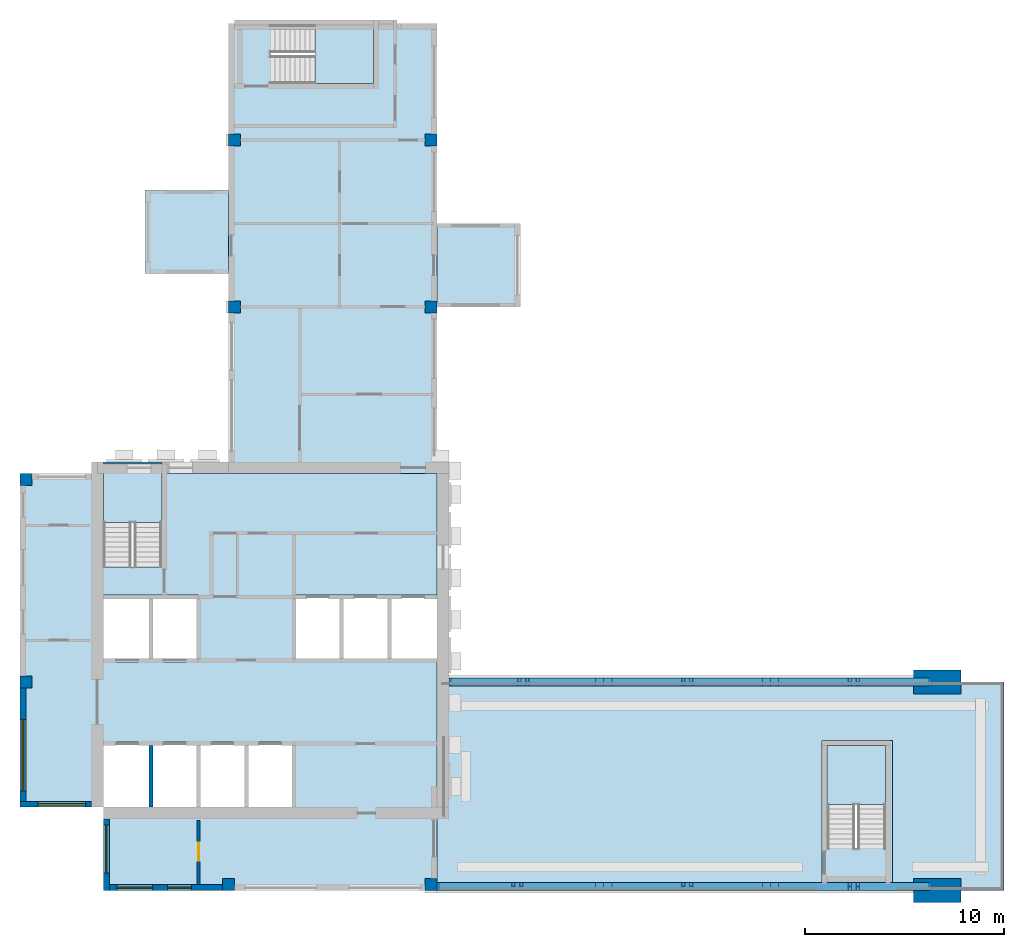
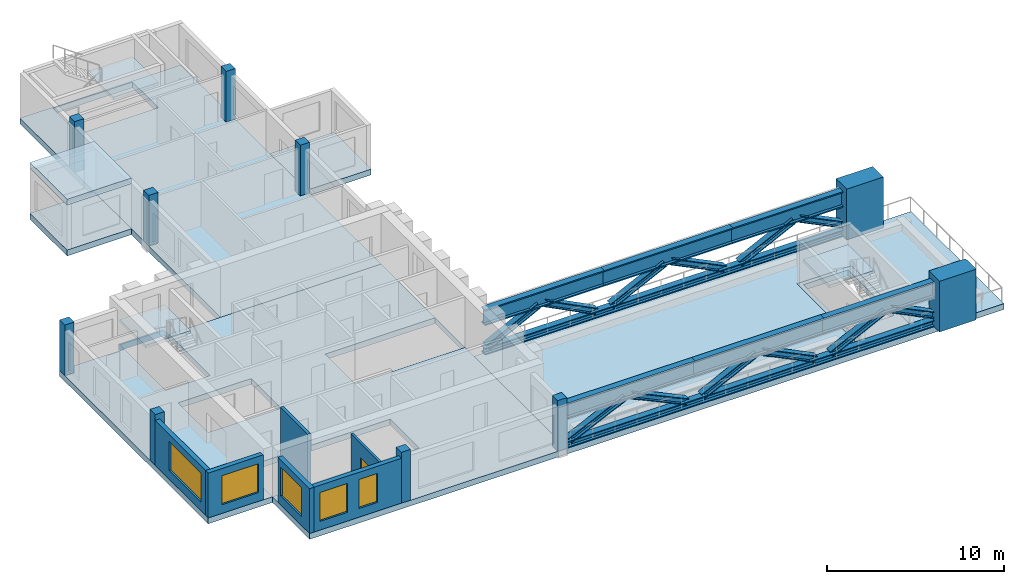
# One storey, part 1 of 9: 12 members, 11 slabs, 10 columns, 8 beams, 6 walls, 5 windows, 1 door, 6 openings, 3 elements without a shape of their own.
"""IFC4 building model written with IfcOpenShell, lengths in metres."""

from ifc_helpers import new_model, si_unit, direction, frame, frame_2d, origin, origin_2d, place, context, subcontext, project, spatial, polyline, rectangle, i_section, outline, extrude, source, transform, mapped, material, layer, layer_set, material_profile, profile_set, type_object, element, fill, aggregate, save


model = new_model("IFC4")

# Units and contexts
model_context = context("Model", 3, precision=1e-05, world=origin(), true_north=direction((0.0, 1.0)))
body_context = subcontext(model_context, "Body", "Model", "MODEL_VIEW")
ifc_project = project(units=[si_unit("LENGTHUNIT", "METRE"), si_unit("AREAUNIT", "SQUARE_METRE"), si_unit("VOLUMEUNIT", "CUBIC_METRE"), si_unit("PLANEANGLEUNIT", "RADIAN"), si_unit("MASSUNIT", "GRAM", prefix="KILO")], contexts=[model_context])

# Site, building, storey
site_placement = place(None, origin())
site = spatial("IfcSite", under=ifc_project, at=site_placement, CompositionType="ELEMENT")
building_placement = place(site_placement, origin())
building = spatial("IfcBuilding", under=site, at=building_placement, Name="Aurelian Terraces", CompositionType="ELEMENT")
storey_placement = place(building_placement, frame((0.0, 0.0, 351.0)))
storey = spatial("IfcBuildingStorey", under=building, at=storey_placement, Name="L83", CompositionType="ELEMENT", Elevation=351.0)

# Columns
ifc_material_1 = material(Name="Concrete fc' 55 MPa", Category="concrete")
ifc_material_profile_1 = material_profile(ifc_material_1, rectangle(XDim=0.6, YDim=0.6, at=origin_2d()))
ifc_profile_set_1 = profile_set([ifc_material_profile_1], Name="Concrete fc' 55 MPa")
column_type_1 = type_object("IfcColumnType", Name="RC COLUMN 600X600 FC55", PredefinedType="COLUMN", material=ifc_profile_set_1)
shared_shape_1 = source(origin(), body_context, "Body", "SweptSolid", [
    extrude(rectangle(XDim=0.6, YDim=0.6, at=origin_2d()), origin(), (0.0, 0.0, 1.0), 3.5),
])
for number, where, z_axis, x_axis, name in (
    (1, (10.5, 0.3, 0.0), (0.0, 0.0, 1.0), (1.0, 0.0, 0.0), "Column 2/A L83"),
    (2, (20.7, 0.3, 0.0), (0.0, 0.0, 1.0), (1.0, 0.0, 0.0), "Column 3/A L83"),
    (3, (0.3, 10.5, 0.0), (0.0, 0.0, 1.0), (1.0, 0.0, 0.0), "Column 1/B L83"),
    (4, (0.3, 20.7, 0.0), (0.0, 0.0, 1.0), (1.0, 0.0, 0.0), "Column 1/C L83"),
    (5, (10.8, 29.4, 0.0), (0.0, 0.0, 1.0), (1.0, 0.0, 0.0), "Column 2/D L83"),
    (6, (20.7, 29.4, 0.0), (0.0, 0.0, 1.0), (1.0, 0.0, 0.0), "Column 3/D L83"),
    (7, (10.8, 37.8, 0.0), (0.0, 0.0, 1.0), (1.0, 0.0, 0.0), "Column 2/E L83"),
    (8, (20.7, 37.8, 0.0), (0.0, 0.0, 1.0), (1.0, 0.0, 0.0), "Column 3/E L83"),
):
    element("IfcColumn", number, at=place(storey_placement, frame(where, z_axis=z_axis, x_axis=x_axis)), inside=storey, type_object=column_type_1, Name=name, PredefinedType="COLUMN", context=body_context, shape_type="MappedRepresentation", body=[
        mapped(shared_shape_1, transform((0.0, 0.0, 0.0), scale=1.0)),
    ])
ifc_material_profile_2 = material_profile(ifc_material_1, rectangle(XDim=2.4, YDim=1.2, at=origin_2d()))
ifc_profile_set_2 = profile_set([ifc_material_profile_2], Name="Concrete fc' 55 MPa")
column_type_2 = type_object("IfcColumnType", Name="Portal jamb pilaster 2400x1200", PredefinedType="PILASTER", material=ifc_profile_set_2)
shared_shape_2 = source(origin(), body_context, "Body", "SweptSolid", [
    extrude(rectangle(XDim=2.4, YDim=1.2, at=origin_2d()), origin(), (0.0, 0.0, 1.0), 3.5),
])
for number, where, z_axis, x_axis, name in (
    (9, (46.2, 0.0, 0.0), (0.0, 0.0, 1.0), (1.0, 0.0, 0.0), "Column 6/A L83"),
    (10, (46.2, 10.5, 0.0), (0.0, 0.0, 1.0), (1.0, 0.0, 0.0), "Column 6/B L83"),
):
    element("IfcColumn", number, at=place(storey_placement, frame(where, z_axis=z_axis, x_axis=x_axis)), inside=storey, type_object=column_type_2, Name=name, PredefinedType="PILASTER", context=body_context, shape_type="MappedRepresentation", body=[
        mapped(shared_shape_2, transform((0.0, 0.0, 0.0), scale=1.0)),
    ])

# Beams
ifc_material_2 = material(Name="Steel ASTM A992 Gr50", Category="steel")
ifc_material_profile_3 = material_profile(ifc_material_2, i_section(OverallWidth=0.4089, OverallDepth=1.0922, WebThickness=0.0455, FlangeThickness=0.082, at=origin_2d()))
ifc_profile_set_3 = profile_set([ifc_material_profile_3], Name="Steel ASTM A992 Gr50")
beam_type_1 = type_object("IfcBeamType", Name="PC901 PORTAL CHORD W40X593", PredefinedType="BEAM", material=ifc_profile_set_3)
beam_1_placement = place(storey_placement, frame((21.0, 0.21, 2.5539), z_axis=(1.0, 0.0, 0.0), x_axis=(0.0, 1.0, 0.0)))
element("IfcBeam", 11, at=beam_1_placement, inside=storey, type_object=beam_type_1, Name="Portal top chord 901.1", PredefinedType="BEAM", context=body_context, shape_type="SweptSolid", body=[
    extrude(i_section(OverallWidth=0.4089, OverallDepth=1.0922, WebThickness=0.0455, FlangeThickness=0.082, at=origin_2d()), origin(), (0.0, 0.0, 1.0), 8.4),
])
beam_2_placement = place(storey_placement, frame((37.8, 0.21, 2.5539), z_axis=(1.0, 0.0, 0.0), x_axis=(0.0, 1.0, 0.0)))
element("IfcBeam", 12, at=beam_2_placement, inside=storey, type_object=beam_type_1, Name="Portal top chord 901.3", PredefinedType="BEAM", context=body_context, shape_type="SweptSolid", body=[
    extrude(i_section(OverallWidth=0.4089, OverallDepth=1.0922, WebThickness=0.0455, FlangeThickness=0.082, at=origin_2d()), origin(), (0.0, 0.0, 1.0), 8.1),
])
beam_3_placement = place(storey_placement, frame((21.6, 10.5, 2.5539), z_axis=(1.0, 0.0, 0.0), x_axis=(0.0, 1.0, 0.0)))
element("IfcBeam", 13, at=beam_3_placement, inside=storey, type_object=beam_type_1, Name="Portal top chord 902.1", PredefinedType="BEAM", context=body_context, shape_type="SweptSolid", body=[
    extrude(i_section(OverallWidth=0.4089, OverallDepth=1.0922, WebThickness=0.0455, FlangeThickness=0.082, at=origin_2d()), origin(), (0.0, 0.0, 1.0), 7.8),
])
ifc_material_profile_4 = material_profile(ifc_material_2, i_section(OverallWidth=0.4122, OverallDepth=0.4348, WebThickness=0.0358, FlangeThickness=0.0531, at=origin_2d()))
ifc_profile_set_4 = profile_set([ifc_material_profile_4], Name="Steel ASTM A992 Gr50")
beam_type_2 = type_object("IfcBeamType", Name="PC902 PORTAL CHORD W14X311", PredefinedType="BEAM", material=ifc_profile_set_4)
beam_4_placement = place(storey_placement, frame((21.0, 0.21, 0.2174), z_axis=(1.0, 0.0, 0.0), x_axis=(0.0, 1.0, 0.0)))
element("IfcBeam", 14, at=beam_4_placement, inside=storey, type_object=beam_type_2, Name="Portal bottom chord 901", PredefinedType="BEAM", context=body_context, shape_type="SweptSolid", body=[
    extrude(i_section(OverallWidth=0.4122, OverallDepth=0.4348, WebThickness=0.0358, FlangeThickness=0.0531, at=origin_2d()), origin(), (0.0, 0.0, 1.0), 24.9),
])
beam_5_placement = place(storey_placement, frame((21.6, 10.5, 0.2174), z_axis=(1.0, 0.0, 0.0), x_axis=(0.0, 1.0, 0.0)))
element("IfcBeam", 15, at=beam_5_placement, inside=storey, type_object=beam_type_2, Name="Portal bottom chord 902", PredefinedType="BEAM", context=body_context, shape_type="SweptSolid", body=[
    extrude(i_section(OverallWidth=0.4122, OverallDepth=0.4348, WebThickness=0.0358, FlangeThickness=0.0531, at=origin_2d()), origin(), (0.0, 0.0, 1.0), 24.3),
])

# Members
ifc_material_profile_5 = material_profile(ifc_material_2, i_section(OverallWidth=0.4063, OverallDepth=0.4161, WebThickness=0.03, FlangeThickness=0.048, at=origin_2d()))
ifc_profile_set_5 = profile_set([ifc_material_profile_5], Name="Steel ASTM A992 Gr50")
member_type = type_object("IfcMemberType", Name="PORTAL DIAGONAL W14X257", PredefinedType="BRACE", material=ifc_profile_set_5)
member_1_placement = place(storey_placement, frame((21.2, 0.21, 0.4348), z_axis=(0.905185933293, 0.0, 0.425015795199), x_axis=(0.0, 1.0, 0.0)))
element("IfcMember", 16, at=member_1_placement, inside=storey, type_object=member_type, Name="Portal diagonal 1a", PredefinedType="BRACE", context=body_context, shape_type="SweptSolid", body=[
    extrude(i_section(OverallWidth=0.4063, OverallDepth=0.4161, WebThickness=0.03, FlangeThickness=0.048, at=origin_2d()), origin(), (0.0, 0.0, 1.0), 4.0323),
])
member_2_placement = place(storey_placement, frame((29.9, 0.21, 0.4348), z_axis=(0.898111937117, 0.0, 0.439766925095), x_axis=(0.0, 1.0, 0.0)))
element("IfcMember", 17, at=member_2_placement, inside=storey, type_object=member_type, Name="Portal diagonal 2a", PredefinedType="BRACE", context=body_context, shape_type="SweptSolid", body=[
    extrude(i_section(OverallWidth=0.4063, OverallDepth=0.4161, WebThickness=0.03, FlangeThickness=0.048, at=origin_2d()), origin(), (0.0, 0.0, 1.0), 3.8971),
])
member_3_placement = place(storey_placement, frame((21.8, 10.5, 0.4348), z_axis=(0.890264702037, 0.0, 0.455443476523), x_axis=(0.0, 1.0, 0.0)))
element("IfcMember", 18, at=member_3_placement, inside=storey, type_object=member_type, Name="Portal diagonal 4a", PredefinedType="BRACE", context=body_context, shape_type="SweptSolid", body=[
    extrude(i_section(OverallWidth=0.4063, OverallDepth=0.4161, WebThickness=0.03, FlangeThickness=0.048, at=origin_2d()), origin(), (0.0, 0.0, 1.0), 3.7629),
])

# Beams
shared_shape_3 = source(origin(), body_context, "Body", "SweptSolid", [
    extrude(i_section(OverallWidth=0.4089, OverallDepth=1.0922, WebThickness=0.0455, FlangeThickness=0.082, at=origin_2d()), origin(), (0.0, 0.0, 1.0), 8.4),
])
for number, where, z_axis, x_axis, name in (
    (19, (29.4, 0.21, 2.5539), (1.0, 0.0, 0.0), (0.0, 1.0, 0.0), "Portal top chord 901.2"),
    (20, (29.4, 10.5, 2.5539), (1.0, 0.0, 0.0), (0.0, 1.0, 0.0), "Portal top chord 902.2"),
):
    element("IfcBeam", number, at=place(storey_placement, frame(where, z_axis=z_axis, x_axis=x_axis)), inside=storey, type_object=beam_type_1, Name=name, PredefinedType="BEAM", context=body_context, shape_type="MappedRepresentation", body=[
        mapped(shared_shape_3, transform((0.0, 0.0, 0.0), scale=1.0)),
    ])

# Members
shared_shape_4 = source(origin(), body_context, "Body", "SweptSolid", [
    extrude(i_section(OverallWidth=0.4063, OverallDepth=0.4161, WebThickness=0.03, FlangeThickness=0.048, at=origin_2d()), origin(), (0.0, 0.0, 1.0), 4.0323),
])
member_4_placement = place(storey_placement, frame((25.25, 0.21, 2.1486), z_axis=(0.905185933293, 0.0, -0.425015795199), x_axis=(0.0, 1.0, 0.0)))
element("IfcMember", 21, at=member_4_placement, inside=storey, type_object=member_type, Name="Portal diagonal 1b", PredefinedType="BRACE", context=body_context, shape_type="MappedRepresentation", body=[
    mapped(shared_shape_4, transform((0.0, 0.0, 0.0), scale=1.0)),
])
shared_shape_5 = source(origin(), body_context, "Body", "SweptSolid", [
    extrude(i_section(OverallWidth=0.4063, OverallDepth=0.4161, WebThickness=0.03, FlangeThickness=0.048, at=origin_2d()), origin(), (0.0, 0.0, 1.0), 3.8971),
])
for number, where, z_axis, x_axis, name in (
    (22, (33.8, 0.21, 2.1486), (0.898111937117, 0.0, -0.439766925095), (0.0, 1.0, 0.0), "Portal diagonal 2b"),
    (23, (38.3, 0.21, 0.4348), (0.898111937117, 0.0, 0.439766925095), (0.0, 1.0, 0.0), "Portal diagonal 3a"),
    (24, (42.2, 0.21, 2.1486), (0.898111937117, 0.0, -0.439766925095), (0.0, 1.0, 0.0), "Portal diagonal 3b"),
    (25, (29.9, 10.5, 0.4348), (0.898111937117, 0.0, 0.439766925095), (0.0, 1.0, 0.0), "Portal diagonal 5a"),
    (26, (33.8, 10.5, 2.1486), (0.898111937117, 0.0, -0.439766925095), (0.0, 1.0, 0.0), "Portal diagonal 5b"),
    (27, (38.3, 10.5, 0.4348), (0.898111937117, 0.0, 0.439766925095), (0.0, 1.0, 0.0), "Portal diagonal 6a"),
    (28, (42.2, 10.5, 2.1486), (0.898111937117, 0.0, -0.439766925095), (0.0, 1.0, 0.0), "Portal diagonal 6b"),
):
    element("IfcMember", number, at=place(storey_placement, frame(where, z_axis=z_axis, x_axis=x_axis)), inside=storey, type_object=member_type, Name=name, PredefinedType="BRACE", context=body_context, shape_type="MappedRepresentation", body=[
        mapped(shared_shape_5, transform((0.0, 0.0, 0.0), scale=1.0)),
    ])

# Beam
shared_shape_6 = source(origin(), body_context, "Body", "SweptSolid", [
    extrude(i_section(OverallWidth=0.4089, OverallDepth=1.0922, WebThickness=0.0455, FlangeThickness=0.082, at=origin_2d()), origin(), (0.0, 0.0, 1.0), 8.1),
])
beam_6_placement = place(storey_placement, frame((37.8, 10.5, 2.5539), z_axis=(1.0, 0.0, 0.0), x_axis=(0.0, 1.0, 0.0)))
element("IfcBeam", 29, at=beam_6_placement, inside=storey, type_object=beam_type_1, Name="Portal top chord 902.3", PredefinedType="BEAM", context=body_context, shape_type="MappedRepresentation", body=[
    mapped(shared_shape_6, transform((0.0, 0.0, 0.0), scale=1.0)),
])

# Member
shared_shape_7 = source(origin(), body_context, "Body", "SweptSolid", [
    extrude(i_section(OverallWidth=0.4063, OverallDepth=0.4161, WebThickness=0.03, FlangeThickness=0.048, at=origin_2d()), origin(), (0.0, 0.0, 1.0), 3.7629),
])
member_5_placement = place(storey_placement, frame((25.55, 10.5, 2.1486), z_axis=(0.890264702037, 0.0, -0.455443476523), x_axis=(0.0, 1.0, 0.0)))
element("IfcMember", 30, at=member_5_placement, inside=storey, type_object=member_type, Name="Portal diagonal 4b", PredefinedType="BRACE", context=body_context, shape_type="MappedRepresentation", body=[
    mapped(shared_shape_7, transform((0.0, 0.0, 0.0), scale=1.0)),
])

# Slabs
ifc_material_3 = material(Name="Concrete fc' 40 MPa", Category="concrete")
ifc_layer_1 = layer(ifc_material_3, 0.4)
ifc_layer_set_1 = layer_set([ifc_layer_1], Name="PT FLAT PLATE 400")
slab_type_1 = type_object("IfcSlabType", Name="PT FLAT PLATE 400", PredefinedType="FLOOR", material=ifc_layer_set_1)
slab_1_placement = place(storey_placement, frame((0.0, 0.0, -0.4)))
element("IfcSlab", 31, at=slab_1_placement, inside=storey, type_object=slab_type_1, Name="Floor slab S2 L83", PredefinedType="FLOOR", context=body_context, shape_type="SweptSolid", body=[
    extrude(outline(polyline([(40.4, 7.55), (43.95, 7.55), (43.95, 0.2), (40.4, 0.2), (40.4, 7.55)]), holes=[polyline([(40.66, 2.11), (43.59, 2.11), (43.59, 7.29), (40.66, 7.29), (40.66, 2.11)])]), origin(), (0.0, 0.0, 1.0), 0.4),
])
ifc_layer_2 = layer(ifc_material_3, 0.4001)
ifc_layer_set_2 = layer_set([ifc_layer_2], Name="Terrace slab 400")
slab_type_2 = type_object("IfcSlabType", Name="Terrace slab 400", PredefinedType="NOTDEFINED", material=ifc_layer_set_2)
slab_2_placement = place(storey_placement, frame((0.0, 0.0, -0.4001)))
element("IfcSlab", 32, at=slab_2_placement, inside=storey, type_object=slab_type_2, Name="Portal terrace L83 PORTAL-U1", PredefinedType="NOTDEFINED", context=body_context, shape_type="SweptSolid", body=[
    extrude(outline(polyline([(49.56, 4.2), (49.56, 0.0), (21.0, 0.0), (21.0, 10.5), (49.56, 10.5), (49.56, 6.3), (49.56, 4.2)]), holes=[polyline([(43.95, 7.55), (40.4, 7.55), (40.4, 0.2), (43.95, 0.2), (43.95, 7.55)])]), origin(), (0.0, 0.0, 1.0), 0.4001),
])
shared_shape_8 = source(origin(), body_context, "Body", "SweptSolid", [
    extrude(outline(polyline([(10.5, 43.68), (14.7, 43.68), (16.8, 43.68), (21.0, 43.68), (21.0, 21.0), (10.5, 21.0), (10.5, 43.68)]), holes=[polyline([(17.79, 43.59), (12.61, 43.59), (12.61, 40.66), (17.79, 40.66), (17.79, 43.59)])]), origin(), (0.0, 0.0, 1.0), 0.4),
])
slab_3_placement = place(storey_placement, frame((0.0, 0.0, -0.4)))
element("IfcSlab", 33, at=slab_3_placement, inside=storey, type_object=slab_type_1, Name="Floor slab W L83", PredefinedType="FLOOR", context=body_context, shape_type="MappedRepresentation", body=[
    mapped(shared_shape_8, transform((0.0, 0.0, 0.0), scale=1.0)),
])
shared_shape_9 = source(origin(), body_context, "Body", "SweptSolid", [
    extrude(outline(polyline([(4.2, 21.0), (4.2, 21.6), (7.15, 21.6), (7.15, 21.0), (7.14, 21.0), (7.14, 21.49), (4.21, 21.49), (4.21, 21.0), (4.2, 21.0)])), origin(), (0.0, 0.0, 1.0), 0.4),
])
slab_4_placement = place(storey_placement, frame((0.0, 0.0, -0.4)))
element("IfcSlab", 34, at=slab_4_placement, inside=storey, type_object=slab_type_1, Name="Floor slab W2 L83", PredefinedType="FLOOR", context=body_context, shape_type="MappedRepresentation", body=[
    mapped(shared_shape_9, transform((0.0, 0.0, 0.0), scale=1.0)),
])
shared_shape_10 = source(origin(), body_context, "Body", "SweptSolid", [
    extrude(outline(polyline([(4.2, 4.2), (0.0, 4.2), (0.0, 10.5), (0.0, 21.0), (4.21, 21.0), (4.21, 16.31), (7.14, 16.31), (7.14, 21.0), (21.0, 21.0), (21.0, 10.5), (21.0, 0.0), (4.2, 0.0), (4.2, 4.2)]), holes=[polyline([(13.81, 14.89), (13.81, 11.51), (20.99, 11.51), (20.99, 14.89), (13.81, 14.89)]), polyline([(4.21, 7.49), (4.21, 4.21), (13.79, 4.21), (13.79, 7.49), (4.21, 7.49)]), polyline([(8.99, 11.51), (8.99, 14.89), (4.21, 14.89), (4.21, 11.51), (8.99, 11.51)])]), origin(), (0.0, 0.0, 1.0), 0.4),
])
slab_5_placement = place(storey_placement, frame((0.0, 0.0, -0.4)))
element("IfcSlab", 35, at=slab_5_placement, inside=storey, type_object=slab_type_1, Name="Floor slab S L83", PredefinedType="FLOOR", context=body_context, shape_type="MappedRepresentation", body=[
    mapped(shared_shape_10, transform((0.0, 0.0, 0.0), scale=1.0)),
])
ifc_layer_3 = layer(ifc_material_3, 0.41)
ifc_layer_set_3 = layer_set([ifc_layer_3], Name="Box floor 410")
slab_type_3 = type_object("IfcSlabType", Name="Box floor 410", PredefinedType="NOTDEFINED", material=ifc_layer_set_3)
shared_shape_11 = source(origin(), body_context, "Body", "SweptSolid", [
    extrude(outline(polyline([(25.2, 29.4), (25.2, 33.6), (21.0, 33.6), (21.0, 29.4), (25.2, 29.4)])), origin(), (0.0, 0.0, 1.0), 0.41),
])
slab_6_placement = place(storey_placement, frame((0.0, 0.0, -0.41)))
element("IfcSlab", 36, at=slab_6_placement, inside=storey, type_object=slab_type_3, Name="Box floor L83 J96", PredefinedType="NOTDEFINED", context=body_context, shape_type="MappedRepresentation", body=[
    mapped(shared_shape_11, transform((0.0, 0.0, 0.0), scale=1.0)),
])
shared_shape_12 = source(origin(), body_context, "Body", "SweptSolid", [
    extrude(outline(polyline([(6.3, 35.28), (6.3, 31.08), (10.5, 31.08), (10.5, 35.28), (6.3, 35.28)])), origin(), (0.0, 0.0, 1.0), 0.41),
])
slab_7_placement = place(storey_placement, frame((0.0, 0.0, -0.41)))
element("IfcSlab", 37, at=slab_7_placement, inside=storey, type_object=slab_type_3, Name="Box floor L83 J95", PredefinedType="NOTDEFINED", context=body_context, shape_type="MappedRepresentation", body=[
    mapped(shared_shape_12, transform((0.0, 0.0, 0.0), scale=1.0)),
])
ifc_layer_4 = layer(ifc_material_3, 0.4)
ifc_layer_set_4 = layer_set([ifc_layer_4], Name="Box roof 400")
slab_type_4 = type_object("IfcSlabType", Name="Box roof 400", PredefinedType="ROOF", material=ifc_layer_set_4)
shared_shape_13 = source(origin(), body_context, "Body", "SweptSolid", [
    extrude(outline(polyline([(6.3, 35.28), (6.3, 31.08), (10.5, 31.08), (10.5, 35.28), (6.3, 35.28)])), origin(), (0.0, 0.0, 1.0), 0.4),
])
slab_8_placement = place(storey_placement, frame((0.0, 0.0, 3.1)))
element("IfcSlab", 38, at=slab_8_placement, inside=storey, type_object=slab_type_4, Name="Box roof J95", PredefinedType="ROOF", context=body_context, shape_type="MappedRepresentation", body=[
    mapped(shared_shape_13, transform((0.0, 0.0, 0.0), scale=1.0)),
])

# Stair, slab
stair_type = type_object("IfcStairType", Name="Stair 1400", PredefinedType="HALF_TURN_STAIR", material=ifc_material_3)
stair_1_placement = place(storey_placement, origin())
stair_1 = element("IfcStair", 39, at=stair_1_placement, inside=storey, type_object=stair_type, Name="L83 S1", PredefinedType="HALF_TURN_STAIR")
ifc_layer_5 = layer(ifc_material_3, 0.2)
ifc_layer_set_5 = layer_set([ifc_layer_5], Name="Stair landing 200")
slab_type_5 = type_object("IfcSlabType", Name="Stair landing 200", PredefinedType="LANDING", material=ifc_layer_set_5)
shared_shape_14 = source(origin(), body_context, "Body", "SweptSolid", [
    extrude(outline(polyline([(7.15, 18.55), (7.15, 21.5), (4.2, 21.5), (4.2, 18.55), (7.15, 18.55)])), origin(), (0.0, 0.0, 1.0), 0.2),
])
slab_9_placement = place(storey_placement, frame((0.0, 0.0, 1.55)))
slab_9 = element("IfcSlab", 40, at=slab_9_placement, type_object=slab_type_5, Name="S1 landing 1", PredefinedType="LANDING", context=body_context, shape_type="MappedRepresentation", body=[
    mapped(shared_shape_14, transform((0.0, 0.0, 0.0), scale=1.0)),
])
aggregate(stair_1, [slab_9])

stair_2_placement = place(storey_placement, origin())
stair_2 = element("IfcStair", 41, at=stair_2_placement, inside=storey, type_object=stair_type, Name="L83 S2", PredefinedType="HALF_TURN_STAIR")
shared_shape_15 = source(origin(), body_context, "Body", "SweptSolid", [
    extrude(outline(polyline([(43.6, 4.35), (43.6, 7.3), (40.65, 7.3), (40.65, 4.35), (43.6, 4.35)])), origin(), (0.0, 0.0, 1.0), 0.2),
])
slab_10_placement = place(storey_placement, frame((0.0, 0.0, 1.55)))
slab_10 = element("IfcSlab", 42, at=slab_10_placement, type_object=slab_type_5, Name="S2 landing 1", PredefinedType="LANDING", context=body_context, shape_type="MappedRepresentation", body=[
    mapped(shared_shape_15, transform((0.0, 0.0, 0.0), scale=1.0)),
])
aggregate(stair_2, [slab_10])

stair_3_placement = place(storey_placement, origin())
stair_3 = element("IfcStair", 43, at=stair_3_placement, inside=storey, type_object=stair_type, Name="L83 S3U", PredefinedType="HALF_TURN_STAIR")
shared_shape_16 = source(origin(), body_context, "Body", "SweptSolid", [
    extrude(outline(polyline([(14.85, 40.65), (17.8, 40.65), (17.8, 43.6), (14.85, 43.6), (14.85, 40.65)])), origin(), (0.0, 0.0, 1.0), 0.2),
])
slab_11_placement = place(storey_placement, frame((0.0, 0.0, 1.55)))
slab_11 = element("IfcSlab", 44, at=slab_11_placement, type_object=slab_type_5, Name="S3U landing 1", PredefinedType="LANDING", context=body_context, shape_type="MappedRepresentation", body=[
    mapped(shared_shape_16, transform((0.0, 0.0, 0.0), scale=1.0)),
])
aggregate(stair_3, [slab_11])

# Wall, opening, window
ifc_material_4 = material(Name="Terracotta rainscreen cladding", Category="masonry")
ifc_layer_6 = layer(ifc_material_4, 0.3)
ifc_layer_set_6 = layer_set([ifc_layer_6], Name="EW-300")
wall_type_1 = type_object("IfcWallType", Name="EW-300", PredefinedType="STANDARD", material=ifc_layer_set_6)
shared_shape_17 = source(origin(), body_context, "Body", "SweptSolid", [
    extrude(rectangle(XDim=3.6, YDim=0.3, at=frame_2d((1.8, 0.0))), origin(), (0.0, 0.0, 1.0), 3.1),
])
wall_1_placement = place(storey_placement, frame((0.0, 4.35, 0.0), z_axis=(0.0, 0.0, 1.0), x_axis=(1.0, 0.0, 0.0)))
wall_1 = element("IfcWall", 45, at=wall_1_placement, inside=storey, type_object=wall_type_1, Name="External wall L83 F11.17", PredefinedType="STANDARD", context=body_context, shape_type="MappedRepresentation", body=[
    mapped(shared_shape_17, transform((0.0, 0.0, 0.0), scale=1.0)),
])
shared_shape_18 = source(origin(), body_context, "Body", "SweptSolid", [
    extrude(rectangle(XDim=2.4, YDim=2.0, at=frame_2d((1.2, 1.0))), frame((0.0, 0.16, 0.0), z_axis=(0.0, -1.0, 0.0), x_axis=(1.0, 0.0, 0.0)), (0.0, 0.0, 1.0), 0.32),
])
opening_1_placement = place(wall_1_placement, frame((0.9, 0.0, 0.6)))
opening_1 = element("IfcOpeningElement", 46, at=opening_1_placement, cuts=wall_1, Name="Opening W2420", PredefinedType="OPENING", context=body_context, shape_type="MappedRepresentation", body=[
    mapped(shared_shape_18, transform((0.0, 0.0, 0.0), scale=1.0)),
])
ifc_material_5 = material(Name="Clear glazing", Category="glass")
window_type_1 = type_object("IfcWindowType", Name="W-2400x2000", PartitioningType="SINGLE_PANEL", PredefinedType="WINDOW", material=ifc_material_5)
shared_shape_19 = source(origin(), body_context, "Body", "SweptSolid", [
    extrude(rectangle(XDim=2.4, YDim=2.0, at=frame_2d((1.2, 1.0))), frame((0.0, 0.03, 0.0), z_axis=(0.0, -1.0, 0.0), x_axis=(1.0, 0.0, 0.0)), (0.0, 0.0, 1.0), 0.06),
])
window_1_placement = place(opening_1_placement, origin())
window_1 = element("IfcWindow", 47, at=window_1_placement, inside=storey, type_object=window_type_1, Name="Window L83 L83-F11-17-0", OverallHeight=2.0, OverallWidth=2.4, PartitioningType="SINGLE_PANEL", PredefinedType="WINDOW", context=body_context, shape_type="MappedRepresentation", body=[
    mapped(shared_shape_19, transform((0.0, 0.0, 0.0), scale=1.0)),
])
fill(opening_1, window_1)

wall_2_placement = place(storey_placement, frame((4.35, 3.6, 0.0), z_axis=(0.0, 0.0, 1.0), x_axis=(0.0, -1.0, 0.0)))
wall_2 = element("IfcWall", 48, at=wall_2_placement, inside=storey, type_object=wall_type_1, Name="External wall L83 F12.18", PredefinedType="STANDARD", context=body_context, shape_type="MappedRepresentation", body=[
    mapped(shared_shape_17, transform((0.0, 0.0, 0.0), scale=1.0)),
])
opening_2_placement = place(wall_2_placement, frame((0.3, 0.0, 0.6)))
opening_2 = element("IfcOpeningElement", 49, at=opening_2_placement, cuts=wall_2, Name="Opening W2420", PredefinedType="OPENING", context=body_context, shape_type="MappedRepresentation", body=[
    mapped(shared_shape_18, transform((0.0, 0.0, 0.0), scale=1.0)),
])
window_2_placement = place(opening_2_placement, origin())
window_2 = element("IfcWindow", 50, at=window_2_placement, inside=storey, type_object=window_type_1, Name="Window L83 L83-F12-18-0", OverallHeight=2.0, OverallWidth=2.4, PartitioningType="SINGLE_PANEL", PredefinedType="WINDOW", context=body_context, shape_type="MappedRepresentation", body=[
    mapped(shared_shape_19, transform((0.0, 0.0, 0.0), scale=1.0)),
])
fill(opening_2, window_2)

# Wall, openings, windows
shared_shape_20 = source(origin(), body_context, "Body", "SweptSolid", [
    extrude(rectangle(XDim=6.0, YDim=0.3, at=frame_2d((3.0, 0.0))), origin(), (0.0, 0.0, 1.0), 3.1),
])
wall_3_placement = place(storey_placement, frame((4.2, 0.15, 0.0), z_axis=(0.0, 0.0, 1.0), x_axis=(1.0, 0.0, 0.0)))
wall_3 = element("IfcWall", 51, at=wall_3_placement, inside=storey, type_object=wall_type_1, Name="External wall L83 F01.1", PredefinedType="STANDARD", context=body_context, shape_type="MappedRepresentation", body=[
    mapped(shared_shape_20, transform((0.0, 0.0, 0.0), scale=1.0)),
])
shared_shape_21 = source(origin(), body_context, "Body", "SweptSolid", [
    extrude(rectangle(XDim=1.8, YDim=2.0, at=frame_2d((0.9, 1.0))), frame((0.0, 0.16, 0.0), z_axis=(0.0, -1.0, 0.0), x_axis=(1.0, 0.0, 0.0)), (0.0, 0.0, 1.0), 0.32),
])
opening_3_placement = place(wall_3_placement, frame((0.675, 0.0, 0.6)))
opening_3 = element("IfcOpeningElement", 52, at=opening_3_placement, cuts=wall_3, Name="Opening W1820", PredefinedType="OPENING", context=body_context, shape_type="MappedRepresentation", body=[
    mapped(shared_shape_21, transform((0.0, 0.0, 0.0), scale=1.0)),
])
shared_shape_22 = source(origin(), body_context, "Body", "SweptSolid", [
    extrude(rectangle(XDim=1.2, YDim=2.0, at=frame_2d((0.6, 1.0))), frame((0.0, 0.16, 0.0), z_axis=(0.0, -1.0, 0.0), x_axis=(1.0, 0.0, 0.0)), (0.0, 0.0, 1.0), 0.32),
])
opening_4_placement = place(wall_3_placement, frame((3.2312, 0.0, 0.6)))
opening_4 = element("IfcOpeningElement", 53, at=opening_4_placement, cuts=wall_3, Name="Opening W1220", PredefinedType="OPENING", context=body_context, shape_type="MappedRepresentation", body=[
    mapped(shared_shape_22, transform((0.0, 0.0, 0.0), scale=1.0)),
])
window_type_2 = type_object("IfcWindowType", Name="W-1200x2000", PartitioningType="SINGLE_PANEL", PredefinedType="WINDOW", material=ifc_material_5)
shared_shape_23 = source(origin(), body_context, "Body", "SweptSolid", [
    extrude(rectangle(XDim=1.2, YDim=2.0, at=frame_2d((0.6, 1.0))), frame((0.0, 0.03, 0.0), z_axis=(0.0, -1.0, 0.0), x_axis=(1.0, 0.0, 0.0)), (0.0, 0.0, 1.0), 0.06),
])
window_3_placement = place(opening_4_placement, origin())
window_3 = element("IfcWindow", 54, at=window_3_placement, inside=storey, type_object=window_type_2, Name="Window L83 L83-F01-01-G0-25", OverallHeight=2.0, OverallWidth=1.2, PartitioningType="SINGLE_PANEL", PredefinedType="WINDOW", context=body_context, shape_type="MappedRepresentation", body=[
    mapped(shared_shape_23, transform((0.0, 0.0, 0.0), scale=1.0)),
])
fill(opening_4, window_3)
window_type_3 = type_object("IfcWindowType", Name="W-1800x2000", PartitioningType="SINGLE_PANEL", PredefinedType="WINDOW", material=ifc_material_5)
shared_shape_24 = source(origin(), body_context, "Body", "SweptSolid", [
    extrude(rectangle(XDim=1.8, YDim=2.0, at=frame_2d((0.9, 1.0))), frame((0.0, 0.03, 0.0), z_axis=(0.0, -1.0, 0.0), x_axis=(1.0, 0.0, 0.0)), (0.0, 0.0, 1.0), 0.06),
])
window_4_placement = place(opening_3_placement, origin())
window_4 = element("IfcWindow", 55, at=window_4_placement, inside=storey, type_object=window_type_3, Name="Window L83 L83-F01-01-0", OverallHeight=2.0, OverallWidth=1.8, PartitioningType="SINGLE_PANEL", PredefinedType="WINDOW", context=body_context, shape_type="MappedRepresentation", body=[
    mapped(shared_shape_24, transform((0.0, 0.0, 0.0), scale=1.0)),
])
fill(opening_3, window_4)

# Wall, opening, window
wall_4_placement = place(storey_placement, frame((0.15, 10.2, 0.0), z_axis=(0.0, 0.0, 1.0), x_axis=(0.0, -1.0, 0.0)))
wall_4 = element("IfcWall", 56, at=wall_4_placement, inside=storey, type_object=wall_type_1, Name="External wall L83 F10.16", PredefinedType="STANDARD", context=body_context, shape_type="MappedRepresentation", body=[
    mapped(shared_shape_20, transform((0.0, 0.0, 0.0), scale=1.0)),
])
shared_shape_25 = source(origin(), body_context, "Body", "SweptSolid", [
    extrude(rectangle(XDim=3.6, YDim=2.0, at=frame_2d((1.8, 1.0))), frame((0.0, 0.16, 0.0), z_axis=(0.0, -1.0, 0.0), x_axis=(1.0, 0.0, 0.0)), (0.0, 0.0, 1.0), 0.32),
])
opening_5_placement = place(wall_4_placement, frame((1.575, 0.0, 0.6)))
opening_5 = element("IfcOpeningElement", 57, at=opening_5_placement, cuts=wall_4, Name="Opening W3620", PredefinedType="OPENING", context=body_context, shape_type="MappedRepresentation", body=[
    mapped(shared_shape_25, transform((0.0, 0.0, 0.0), scale=1.0)),
])
window_type_4 = type_object("IfcWindowType", Name="W-3600x2000", PartitioningType="SINGLE_PANEL", PredefinedType="WINDOW", material=ifc_material_5)
shared_shape_26 = source(origin(), body_context, "Body", "SweptSolid", [
    extrude(rectangle(XDim=3.6, YDim=2.0, at=frame_2d((1.8, 1.0))), frame((0.0, 0.03, 0.0), z_axis=(0.0, -1.0, 0.0), x_axis=(1.0, 0.0, 0.0)), (0.0, 0.0, 1.0), 0.06),
])
window_5_placement = place(opening_5_placement, origin())
window_5 = element("IfcWindow", 58, at=window_5_placement, inside=storey, type_object=window_type_4, Name="Window L83 L83-F10-16-3", OverallHeight=2.0, OverallWidth=3.6, PartitioningType="SINGLE_PANEL", PredefinedType="WINDOW", context=body_context, shape_type="MappedRepresentation", body=[
    mapped(shared_shape_26, transform((0.0, 0.0, 0.0), scale=1.0)),
])
fill(opening_5, window_5)

# Wall
ifc_layer_7 = layer(ifc_material_3, 0.2)
ifc_layer_set_7 = layer_set([ifc_layer_7], Name="Lift shaft wall 200")
wall_type_2 = type_object("IfcWallType", Name="Lift shaft wall 200", PredefinedType="SOLIDWALL", material=ifc_layer_set_7)
shared_shape_27 = source(origin(), body_context, "Body", "SweptSolid", [
    extrude(rectangle(XDim=3.1, YDim=0.2, at=frame_2d((1.55, 0.0))), origin(), (0.0, 0.0, 1.0), 3.5),
])
wall_5_placement = place(storey_placement, frame((6.6, 4.2, 0.0), z_axis=(0.0, 0.0, 1.0), x_axis=(0.0, 1.0, 0.0)))
element("IfcWall", 59, at=wall_5_placement, inside=storey, type_object=wall_type_2, Name="L83 core wall CD-A1", PredefinedType="SOLIDWALL", context=body_context, shape_type="MappedRepresentation", body=[
    mapped(shared_shape_27, transform((0.0, 0.0, 0.0), scale=1.0)),
])

# Wall, opening, door
ifc_material_6 = material(Name="Gypsum board on steel studs", Category="steel")
ifc_layer_8 = layer(ifc_material_6, 0.15)
ifc_layer_set_8 = layer_set([ifc_layer_8], Name="Partition 150")
wall_type_3 = type_object("IfcWallType", Name="Partition 150", PredefinedType="PARTITIONING", material=ifc_layer_set_8)
shared_shape_28 = source(origin(), body_context, "Body", "SweptSolid", [
    extrude(rectangle(XDim=3.225, YDim=0.15, at=frame_2d((1.6125, 0.0))), origin(), (0.0, 0.0, 1.0), 3.1),
])
wall_6_placement = place(storey_placement, frame((9.0, 3.525, 0.0), z_axis=(0.0, 0.0, 1.0), x_axis=(0.0, -1.0, 0.0)))
wall_6 = element("IfcWall", 60, at=wall_6_placement, inside=storey, type_object=wall_type_3, Name="Partition", PredefinedType="PARTITIONING", context=body_context, shape_type="MappedRepresentation", body=[
    mapped(shared_shape_28, transform((0.0, 0.0, 0.0), scale=1.0)),
])
shared_shape_29 = source(origin(), body_context, "Body", "SweptSolid", [
    extrude(rectangle(XDim=0.9, YDim=2.1, at=frame_2d((0.45, 1.05))), frame((0.0, 0.085, 0.0), z_axis=(0.0, -1.0, 0.0), x_axis=(1.0, 0.0, 0.0)), (0.0, 0.0, 1.0), 0.17),
])
opening_6_placement = place(wall_6_placement, frame((1.125, 0.0, 0.0)))
opening_6 = element("IfcOpeningElement", 61, at=opening_6_placement, cuts=wall_6, Name="Opening 783001", PredefinedType="OPENING", context=body_context, shape_type="MappedRepresentation", body=[
    mapped(shared_shape_29, transform((0.0, 0.0, 0.0), scale=1.0)),
])
ifc_material_7 = material(Name="Timber door leaf", Category="wood")
door_type = type_object("IfcDoorType", Name="Room door 900x2100 left", OperationType="SINGLE_SWING_LEFT", PredefinedType="DOOR", material=ifc_material_7)
shared_shape_30 = source(origin(), body_context, "Body", "SweptSolid", [
    extrude(rectangle(XDim=0.9, YDim=2.1, at=frame_2d((0.45, 1.05))), frame((0.0, 0.025, 0.0), z_axis=(0.0, -1.0, 0.0), x_axis=(1.0, 0.0, 0.0)), (0.0, 0.0, 1.0), 0.05),
])
door_placement = place(opening_6_placement, origin())
door = element("IfcDoor", 62, at=door_placement, inside=storey, type_object=door_type, Name="Door 783001", OperationType="SINGLE_SWING_LEFT", OverallHeight=2.1, OverallWidth=0.9, PredefinedType="DOOR", context=body_context, shape_type="MappedRepresentation", body=[
    mapped(shared_shape_30, transform((0.0, 0.0, 0.0), scale=1.0)),
])
fill(opening_6, door)

save(model, "model.ifc")
